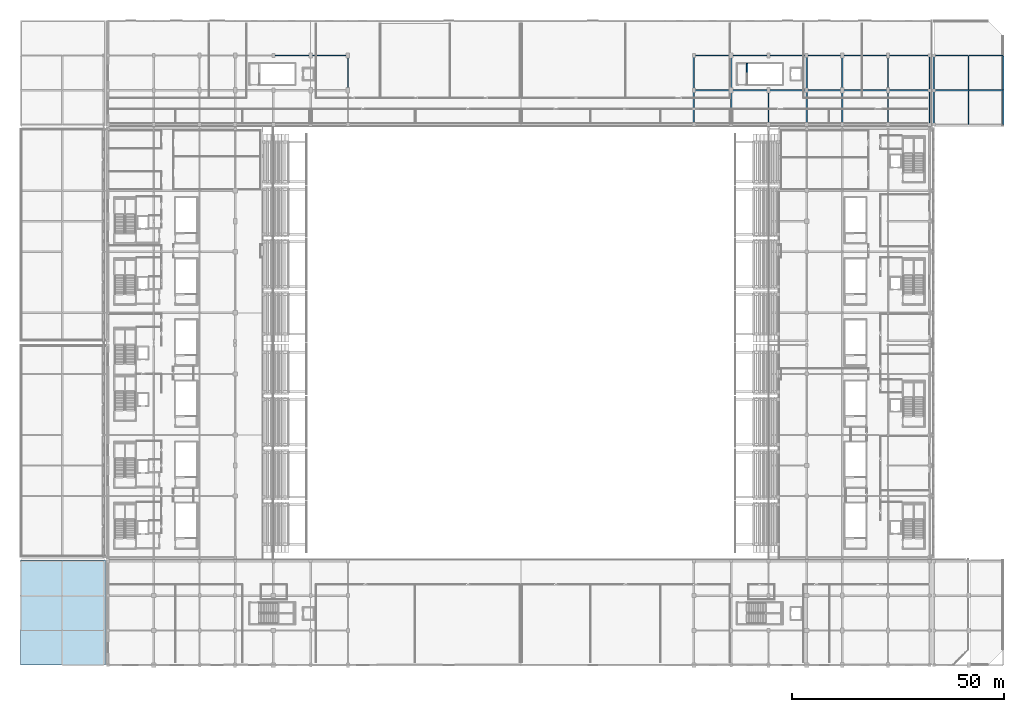
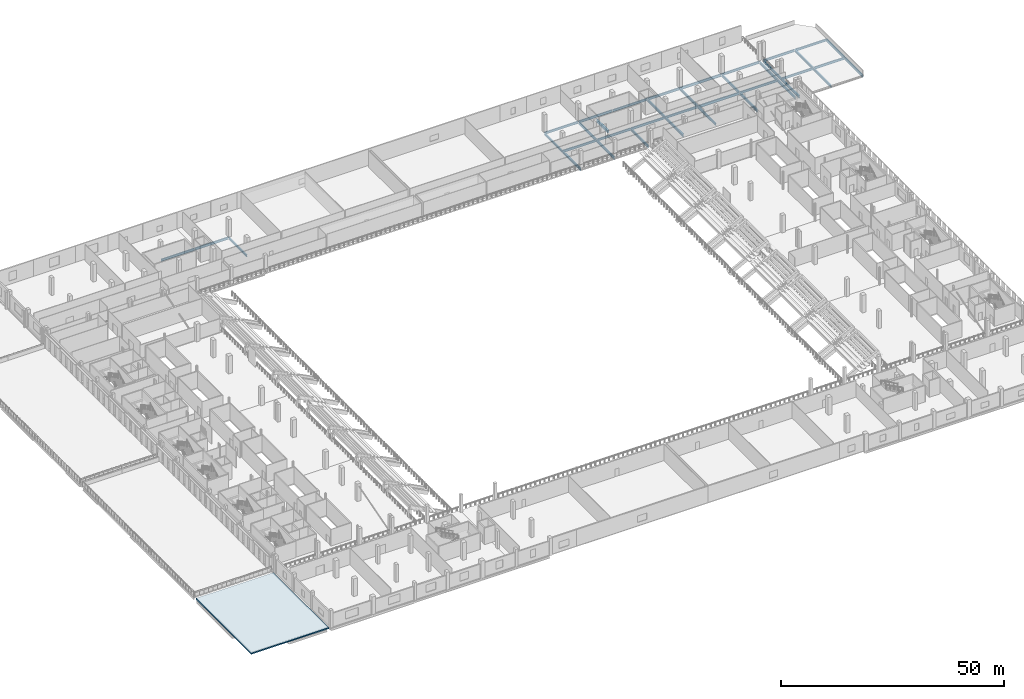
# One storey, part 21 of 74: 39 beams, 1 slab.
"""IFC4 building model written with IfcOpenShell, lengths in metres."""

from ifc_helpers import new_model, si_unit, direction, frame, origin, origin_2d, place, context, subcontext, project, spatial, polyline, rectangle, i_section, outline, extrude, material, layer, layer_set, material_profile, profile_set, type_object, element, save


model = new_model("IFC4")

# Units and contexts
model_context = context("Model", 3, precision=1e-05, world=origin(), true_north=direction((0.0, 1.0)))
body_context = subcontext(model_context, "Body", "Model", "MODEL_VIEW")
ifc_project = project(units=[si_unit("LENGTHUNIT", "METRE"), si_unit("AREAUNIT", "SQUARE_METRE"), si_unit("VOLUMEUNIT", "CUBIC_METRE"), si_unit("PLANEANGLEUNIT", "RADIAN"), si_unit("MASSUNIT", "GRAM", prefix="KILO")], contexts=[model_context])

# Site, building, storey
site_placement = place(None, origin())
site = spatial("IfcSite", under=ifc_project, at=site_placement, CompositionType="ELEMENT")
building_placement = place(site_placement, origin())
building = spatial("IfcBuilding", under=site, at=building_placement, Name="Koshinbarg Plaza Stadium", CompositionType="ELEMENT")
storey_placement = place(building_placement, frame((0.0, 0.0, 15.0)))
storey = spatial("IfcBuildingStorey", under=building, at=storey_placement, Name="L03", CompositionType="ELEMENT", Elevation=15.0)

# Beams
ifc_material_1 = material(Name="Concrete C40/50", Category="concrete")
ifc_material_profile_1 = material_profile(ifc_material_1, rectangle(XDim=0.39990234375, YDim=0.75, at=origin_2d()), Name="RC 400x750")
ifc_profile_set_1 = profile_set([ifc_material_profile_1], Name="Concrete C40/50")
beam_type_1 = type_object("IfcBeamType", Name="BM-RCG-03", PredefinedType="USERDEFINED", material=ifc_profile_set_1)
beam_1_placement = place(storey_placement, frame((175.360107421875, 136.949951171875, -0.375), z_axis=(0.0, 1.0, 0.0), x_axis=(-1.0, 0.0, 0.0)))
element("IfcBeam", 1, at=beam_1_placement, inside=storey, type_object=beam_type_1, Name="L03 stair landing header beam C12", ObjectType="GIRDER", PredefinedType="USERDEFINED", context=body_context, shape_type="SweptSolid", body=[
    extrude(rectangle(XDim=0.39990234375, YDim=0.75, at=origin_2d()), origin(), (0.0, 0.0, 1.0), 4.969970703125),
])
ifc_material_2 = material(Name="Steel S355", Category="steel")
ifc_material_profile_2 = material_profile(ifc_material_2, i_section(OverallWidth=0.300048828125, OverallDepth=0.60009765625, WebThickness=0.015380859375, FlangeThickness=0.030029296875, at=origin_2d()), Name="HEB 600")
ifc_profile_set_2 = profile_set([ifc_material_profile_2], Name="Steel S355")
beam_type_2 = type_object("IfcBeamType", Name="BM-SGIR-02", PredefinedType="USERDEFINED", material=ifc_profile_set_2)
beam_2_placement = place(storey_placement, frame((162.860107421875, 135.60009765625, -0.6201171875), z_axis=(1.0, 0.0, 0.0), x_axis=(0.0, 1.0, 0.0)))
element("IfcBeam", 2, at=beam_2_placement, inside=storey, type_object=beam_type_2, Name="L03 X girder T/15-16", ObjectType="GIRDER", PredefinedType="USERDEFINED", context=body_context, shape_type="SweptSolid", body=[
    extrude(i_section(OverallWidth=0.300048828125, OverallDepth=0.60009765625, WebThickness=0.015380859375, FlangeThickness=0.030029296875, at=origin_2d()), origin(), (0.0, 0.0, 1.0), 8.679931640625),
])
beam_3_placement = place(storey_placement, frame((171.659912109375, 135.60009765625, -0.6201171875), z_axis=(1.0, 0.0, 0.0), x_axis=(0.0, 1.0, 0.0)))
element("IfcBeam", 3, at=beam_3_placement, inside=storey, type_object=beam_type_2, Name="L03 X girder T/16-17", ObjectType="GIRDER", PredefinedType="USERDEFINED", context=body_context, shape_type="SweptSolid", body=[
    extrude(i_section(OverallWidth=0.300048828125, OverallDepth=0.60009765625, WebThickness=0.015380859375, FlangeThickness=0.030029296875, at=origin_2d()), origin(), (0.0, 0.0, 1.0), 8.68017578125),
])
beam_4_placement = place(storey_placement, frame((180.4599609375, 135.60009765625, -0.6201171875), z_axis=(1.0, 0.0, 0.0), x_axis=(0.0, 1.0, 0.0)))
element("IfcBeam", 4, at=beam_4_placement, inside=storey, type_object=beam_type_2, Name="L03 X girder T/17-18", ObjectType="GIRDER", PredefinedType="USERDEFINED", context=body_context, shape_type="SweptSolid", body=[
    extrude(i_section(OverallWidth=0.300048828125, OverallDepth=0.60009765625, WebThickness=0.015380859375, FlangeThickness=0.030029296875, at=origin_2d()), origin(), (0.0, 0.0, 1.0), 8.880126953125),
])
beam_5_placement = place(storey_placement, frame((189.4599609375, 135.60009765625, -0.6201171875), z_axis=(1.0, 0.0, 0.0), x_axis=(0.0, 1.0, 0.0)))
element("IfcBeam", 5, at=beam_5_placement, inside=storey, type_object=beam_type_2, Name="L03 X girder T/18-19", ObjectType="GIRDER", PredefinedType="USERDEFINED", context=body_context, shape_type="SweptSolid", body=[
    extrude(i_section(OverallWidth=0.300048828125, OverallDepth=0.60009765625, WebThickness=0.015380859375, FlangeThickness=0.030029296875, at=origin_2d()), origin(), (0.0, 0.0, 1.0), 8.280029296875),
])
beam_6_placement = place(storey_placement, frame((208.659912109375, 135.60009765625, -0.6201171875), z_axis=(1.0, 0.0, 0.0), x_axis=(0.0, 1.0, 0.0)))
element("IfcBeam", 6, at=beam_6_placement, inside=storey, type_object=beam_type_2, Name="L03 X girder T/20-21", ObjectType="GIRDER", PredefinedType="USERDEFINED", context=body_context, shape_type="SweptSolid", body=[
    extrude(i_section(OverallWidth=0.300048828125, OverallDepth=0.60009765625, WebThickness=0.015380859375, FlangeThickness=0.030029296875, at=origin_2d()), origin(), (0.0, 0.0, 1.0), 9.68017578125),
])
for number, where, z_axis, x_axis, name in (
    (7, (219.4599609375, 135.60009765625, -0.60009765625), (1.0, 0.0, 0.0), (0.0, 1.0, 0.0), "L03 X girder T/22-23"),
    (8, (227.659912109375, 135.60009765625, -0.60009765625), (1.0, 0.0, 0.0), (0.0, 1.0, 0.0), "L03 X girder T/23-24"),
):
    element("IfcBeam", number, at=place(storey_placement, frame(where, z_axis=z_axis, x_axis=x_axis)), inside=storey, type_object=beam_type_2, Name=name, ObjectType="GIRDER", PredefinedType="USERDEFINED", context=body_context, shape_type="SweptSolid", body=[
        extrude(i_section(OverallWidth=0.300048828125, OverallDepth=0.60009765625, WebThickness=0.015380859375, FlangeThickness=0.030029296875, at=origin_2d()), origin(), (0.0, 0.0, 1.0), 8.080078125),
    ])
beam_7_placement = place(storey_placement, frame((63.659912109375, 143.800048828125, -0.6201171875), z_axis=(1.0, 0.0, 0.0), x_axis=(0.0, 1.0, 0.0)))
element("IfcBeam", 9, at=beam_7_placement, inside=storey, type_object=beam_type_2, Name="L03 X girder U/9-10", ObjectType="GIRDER", PredefinedType="USERDEFINED", context=body_context, shape_type="SweptSolid", body=[
    extrude(i_section(OverallWidth=0.300048828125, OverallDepth=0.60009765625, WebThickness=0.015380859375, FlangeThickness=0.030029296875, at=origin_2d()), origin(), (0.0, 0.0, 1.0), 8.68017578125),
])
for number, where, z_axis, x_axis, name in (
    (10, (72.4599609375, 143.800048828125, -0.6201171875), (1.0, 0.0, 0.0), (0.0, 1.0, 0.0), "L03 X girder U/10-11"),
    (11, (162.860107421875, 143.800048828125, -0.6201171875), (1.0, 0.0, 0.0), (0.0, 1.0, 0.0), "L03 X girder U/15-16"),
):
    element("IfcBeam", number, at=place(storey_placement, frame(where, z_axis=z_axis, x_axis=x_axis)), inside=storey, type_object=beam_type_2, Name=name, ObjectType="GIRDER", PredefinedType="USERDEFINED", context=body_context, shape_type="SweptSolid", body=[
        extrude(i_section(OverallWidth=0.300048828125, OverallDepth=0.60009765625, WebThickness=0.015380859375, FlangeThickness=0.030029296875, at=origin_2d()), origin(), (0.0, 0.0, 1.0), 8.679931640625),
    ])
beam_8_placement = place(storey_placement, frame((171.659912109375, 143.800048828125, -0.6201171875), z_axis=(1.0, 0.0, 0.0), x_axis=(0.0, 1.0, 0.0)))
element("IfcBeam", 12, at=beam_8_placement, inside=storey, type_object=beam_type_2, Name="L03 X girder U/16-17", ObjectType="GIRDER", PredefinedType="USERDEFINED", context=body_context, shape_type="SweptSolid", body=[
    extrude(i_section(OverallWidth=0.300048828125, OverallDepth=0.60009765625, WebThickness=0.015380859375, FlangeThickness=0.030029296875, at=origin_2d()), origin(), (0.0, 0.0, 1.0), 8.68017578125),
])
beam_9_placement = place(storey_placement, frame((180.4599609375, 143.800048828125, -0.6201171875), z_axis=(1.0, 0.0, 0.0), x_axis=(0.0, 1.0, 0.0)))
element("IfcBeam", 13, at=beam_9_placement, inside=storey, type_object=beam_type_2, Name="L03 X girder U/17-18", ObjectType="GIRDER", PredefinedType="USERDEFINED", context=body_context, shape_type="SweptSolid", body=[
    extrude(i_section(OverallWidth=0.300048828125, OverallDepth=0.60009765625, WebThickness=0.015380859375, FlangeThickness=0.030029296875, at=origin_2d()), origin(), (0.0, 0.0, 1.0), 8.880126953125),
])
beam_10_placement = place(storey_placement, frame((189.4599609375, 143.800048828125, -0.6201171875), z_axis=(1.0, 0.0, 0.0), x_axis=(0.0, 1.0, 0.0)))
element("IfcBeam", 14, at=beam_10_placement, inside=storey, type_object=beam_type_2, Name="L03 X girder U/18-19", ObjectType="GIRDER", PredefinedType="USERDEFINED", context=body_context, shape_type="SweptSolid", body=[
    extrude(i_section(OverallWidth=0.300048828125, OverallDepth=0.60009765625, WebThickness=0.015380859375, FlangeThickness=0.030029296875, at=origin_2d()), origin(), (0.0, 0.0, 1.0), 8.280029296875),
])
beam_11_placement = place(storey_placement, frame((208.659912109375, 143.800048828125, -0.6201171875), z_axis=(1.0, 0.0, 0.0), x_axis=(0.0, 1.0, 0.0)))
element("IfcBeam", 15, at=beam_11_placement, inside=storey, type_object=beam_type_2, Name="L03 X girder U/20-21", ObjectType="GIRDER", PredefinedType="USERDEFINED", context=body_context, shape_type="SweptSolid", body=[
    extrude(i_section(OverallWidth=0.300048828125, OverallDepth=0.60009765625, WebThickness=0.015380859375, FlangeThickness=0.030029296875, at=origin_2d()), origin(), (0.0, 0.0, 1.0), 9.68017578125),
])
for number, where, z_axis, x_axis, name in (
    (16, (219.4599609375, 143.800048828125, -0.60009765625), (1.0, 0.0, 0.0), (0.0, 1.0, 0.0), "L03 X girder U/22-23"),
    (17, (227.659912109375, 143.800048828125, -0.60009765625), (1.0, 0.0, 0.0), (0.0, 1.0, 0.0), "L03 X girder U/23-24"),
    (18, (81.199951171875, 135.659912109375, -0.6201171875), (0.0, 1.0, 0.0), (-1.0, 0.0, 0.0), "L03 Y girder 11/T-U"),
):
    element("IfcBeam", number, at=place(storey_placement, frame(where, z_axis=z_axis, x_axis=x_axis)), inside=storey, type_object=beam_type_2, Name=name, ObjectType="GIRDER", PredefinedType="USERDEFINED", context=body_context, shape_type="SweptSolid", body=[
        extrude(i_section(OverallWidth=0.300048828125, OverallDepth=0.60009765625, WebThickness=0.015380859375, FlangeThickness=0.030029296875, at=origin_2d()), origin(), (0.0, 0.0, 1.0), 8.080078125),
    ])
beam_12_placement = place(storey_placement, frame((162.800048828125, 127.56005859375, -0.6201171875), z_axis=(0.0, 1.0, 0.0), x_axis=(-1.0, 0.0, 0.0)))
element("IfcBeam", 19, at=beam_12_placement, inside=storey, type_object=beam_type_2, Name="L03 Y girder 15/S-T", ObjectType="GIRDER", PredefinedType="USERDEFINED", context=body_context, shape_type="SweptSolid", body=[
    extrude(i_section(OverallWidth=0.300048828125, OverallDepth=0.60009765625, WebThickness=0.015380859375, FlangeThickness=0.030029296875, at=origin_2d()), origin(), (0.0, 0.0, 1.0), 7.97998046875),
])
beam_13_placement = place(storey_placement, frame((162.800048828125, 135.659912109375, -0.6201171875), z_axis=(0.0, 1.0, 0.0), x_axis=(-1.0, 0.0, 0.0)))
element("IfcBeam", 20, at=beam_13_placement, inside=storey, type_object=beam_type_2, Name="L03 Y girder 15/T-U", ObjectType="GIRDER", PredefinedType="USERDEFINED", context=body_context, shape_type="SweptSolid", body=[
    extrude(i_section(OverallWidth=0.300048828125, OverallDepth=0.60009765625, WebThickness=0.015380859375, FlangeThickness=0.030029296875, at=origin_2d()), origin(), (0.0, 0.0, 1.0), 8.080078125),
])
for number, where, z_axis, x_axis, name in (
    (21, (180.39990234375, 127.56005859375, -0.6201171875), (0.0, 1.0, 0.0), (-1.0, 0.0, 0.0), "L03 Y girder 17/S-T"),
    (22, (197.800048828125, 127.56005859375, -0.6201171875), (0.0, 1.0, 0.0), (-1.0, 0.0, 0.0), "L03 Y girder 19/S-T"),
):
    element("IfcBeam", number, at=place(storey_placement, frame(where, z_axis=z_axis, x_axis=x_axis)), inside=storey, type_object=beam_type_2, Name=name, ObjectType="GIRDER", PredefinedType="USERDEFINED", context=body_context, shape_type="SweptSolid", body=[
        extrude(i_section(OverallWidth=0.300048828125, OverallDepth=0.60009765625, WebThickness=0.015380859375, FlangeThickness=0.030029296875, at=origin_2d()), origin(), (0.0, 0.0, 1.0), 7.97998046875),
    ])
beam_14_placement = place(storey_placement, frame((197.800048828125, 135.659912109375, -0.6201171875), z_axis=(0.0, 1.0, 0.0), x_axis=(-1.0, 0.0, 0.0)))
element("IfcBeam", 23, at=beam_14_placement, inside=storey, type_object=beam_type_2, Name="L03 Y girder 19/T-U", ObjectType="GIRDER", PredefinedType="USERDEFINED", context=body_context, shape_type="SweptSolid", body=[
    extrude(i_section(OverallWidth=0.300048828125, OverallDepth=0.60009765625, WebThickness=0.015380859375, FlangeThickness=0.030029296875, at=origin_2d()), origin(), (0.0, 0.0, 1.0), 8.080078125),
])
beam_15_placement = place(storey_placement, frame((218.39990234375, 127.56005859375, -0.6201171875), z_axis=(0.0, 1.0, 0.0), x_axis=(-1.0, 0.0, 0.0)))
element("IfcBeam", 24, at=beam_15_placement, inside=storey, type_object=beam_type_2, Name="L03 Y girder 21/S-T", ObjectType="GIRDER", PredefinedType="USERDEFINED", context=body_context, shape_type="SweptSolid", body=[
    extrude(i_section(OverallWidth=0.300048828125, OverallDepth=0.60009765625, WebThickness=0.015380859375, FlangeThickness=0.030029296875, at=origin_2d()), origin(), (0.0, 0.0, 1.0), 7.97998046875),
])
beam_16_placement = place(storey_placement, frame((218.39990234375, 135.659912109375, -0.6201171875), z_axis=(0.0, 1.0, 0.0), x_axis=(-1.0, 0.0, 0.0)))
element("IfcBeam", 25, at=beam_16_placement, inside=storey, type_object=beam_type_2, Name="L03 Y girder 21/T-U", ObjectType="GIRDER", PredefinedType="USERDEFINED", context=body_context, shape_type="SweptSolid", body=[
    extrude(i_section(OverallWidth=0.300048828125, OverallDepth=0.60009765625, WebThickness=0.015380859375, FlangeThickness=0.030029296875, at=origin_2d()), origin(), (0.0, 0.0, 1.0), 8.080078125),
])
beam_17_placement = place(storey_placement, frame((227.60009765625, 127.56005859375, -0.60009765625), z_axis=(0.0, 1.0, 0.0), x_axis=(-1.0, 0.0, 0.0)))
element("IfcBeam", 26, at=beam_17_placement, inside=storey, type_object=beam_type_2, Name="L03 Y girder 23/S-T", ObjectType="GIRDER", PredefinedType="USERDEFINED", context=body_context, shape_type="SweptSolid", body=[
    extrude(i_section(OverallWidth=0.300048828125, OverallDepth=0.60009765625, WebThickness=0.015380859375, FlangeThickness=0.030029296875, at=origin_2d()), origin(), (0.0, 0.0, 1.0), 7.97998046875),
])
beam_18_placement = place(storey_placement, frame((227.60009765625, 135.659912109375, -0.60009765625), z_axis=(0.0, 1.0, 0.0), x_axis=(-1.0, 0.0, 0.0)))
element("IfcBeam", 27, at=beam_18_placement, inside=storey, type_object=beam_type_2, Name="L03 Y girder 23/T-U", ObjectType="GIRDER", PredefinedType="USERDEFINED", context=body_context, shape_type="SweptSolid", body=[
    extrude(i_section(OverallWidth=0.300048828125, OverallDepth=0.60009765625, WebThickness=0.015380859375, FlangeThickness=0.030029296875, at=origin_2d()), origin(), (0.0, 0.0, 1.0), 8.080078125),
])
ifc_material_profile_3 = material_profile(ifc_material_2, i_section(OverallWidth=0.300048828125, OverallDepth=0.699951171875, WebThickness=0.01708984375, FlangeThickness=0.031982421875, at=origin_2d()), Name="HEB 700")
ifc_profile_set_3 = profile_set([ifc_material_profile_3], Name="Steel S355")
beam_type_3 = type_object("IfcBeamType", Name="BM-SGIR-03", PredefinedType="USERDEFINED", material=ifc_profile_set_3)
for number, where, z_axis, x_axis, name in (
    (28, (197.860107421875, 135.60009765625, -0.669921875), (1.0, 0.0, 0.0), (0.0, 1.0, 0.0), "L03 X girder T/19-20"),
    (29, (197.860107421875, 143.800048828125, -0.669921875), (1.0, 0.0, 0.0), (0.0, 1.0, 0.0), "L03 X girder U/19-20"),
):
    element("IfcBeam", number, at=place(storey_placement, frame(where, z_axis=z_axis, x_axis=x_axis)), inside=storey, type_object=beam_type_3, Name=name, ObjectType="GIRDER", PredefinedType="USERDEFINED", context=body_context, shape_type="SweptSolid", body=[
        extrude(i_section(OverallWidth=0.300048828125, OverallDepth=0.699951171875, WebThickness=0.01708984375, FlangeThickness=0.031982421875, at=origin_2d()), origin(), (0.0, 0.0, 1.0), 10.679931640625),
    ])
beam_19_placement = place(storey_placement, frame((171.60009765625, 127.56005859375, -0.669921875), z_axis=(0.0, 1.0, 0.0), x_axis=(-1.0, 0.0, 0.0)))
element("IfcBeam", 30, at=beam_19_placement, inside=storey, type_object=beam_type_3, Name="L03 Y girder 16/S-T", ObjectType="GIRDER", PredefinedType="USERDEFINED", context=body_context, shape_type="SweptSolid", body=[
    extrude(i_section(OverallWidth=0.300048828125, OverallDepth=0.699951171875, WebThickness=0.01708984375, FlangeThickness=0.031982421875, at=origin_2d()), origin(), (0.0, 0.0, 1.0), 7.97998046875),
])
beam_20_placement = place(storey_placement, frame((171.60009765625, 135.659912109375, -0.669921875), z_axis=(0.0, 1.0, 0.0), x_axis=(-1.0, 0.0, 0.0)))
element("IfcBeam", 31, at=beam_20_placement, inside=storey, type_object=beam_type_3, Name="L03 Y girder 16/T-U", ObjectType="GIRDER", PredefinedType="USERDEFINED", context=body_context, shape_type="SweptSolid", body=[
    extrude(i_section(OverallWidth=0.300048828125, OverallDepth=0.699951171875, WebThickness=0.01708984375, FlangeThickness=0.031982421875, at=origin_2d()), origin(), (0.0, 0.0, 1.0), 8.080078125),
])
beam_21_placement = place(storey_placement, frame((189.39990234375, 127.56005859375, -0.669921875), z_axis=(0.0, 1.0, 0.0), x_axis=(-1.0, 0.0, 0.0)))
element("IfcBeam", 32, at=beam_21_placement, inside=storey, type_object=beam_type_3, Name="L03 Y girder 18/S-T", ObjectType="GIRDER", PredefinedType="USERDEFINED", context=body_context, shape_type="SweptSolid", body=[
    extrude(i_section(OverallWidth=0.300048828125, OverallDepth=0.699951171875, WebThickness=0.01708984375, FlangeThickness=0.031982421875, at=origin_2d()), origin(), (0.0, 0.0, 1.0), 7.97998046875),
])
beam_22_placement = place(storey_placement, frame((189.39990234375, 135.659912109375, -0.669921875), z_axis=(0.0, 1.0, 0.0), x_axis=(-1.0, 0.0, 0.0)))
element("IfcBeam", 33, at=beam_22_placement, inside=storey, type_object=beam_type_3, Name="L03 Y girder 18/T-U", ObjectType="GIRDER", PredefinedType="USERDEFINED", context=body_context, shape_type="SweptSolid", body=[
    extrude(i_section(OverallWidth=0.300048828125, OverallDepth=0.699951171875, WebThickness=0.01708984375, FlangeThickness=0.031982421875, at=origin_2d()), origin(), (0.0, 0.0, 1.0), 8.080078125),
])
beam_23_placement = place(storey_placement, frame((208.60009765625, 127.56005859375, -0.669921875), z_axis=(0.0, 1.0, 0.0), x_axis=(-1.0, 0.0, 0.0)))
element("IfcBeam", 34, at=beam_23_placement, inside=storey, type_object=beam_type_3, Name="L03 Y girder 20/S-T", ObjectType="GIRDER", PredefinedType="USERDEFINED", context=body_context, shape_type="SweptSolid", body=[
    extrude(i_section(OverallWidth=0.300048828125, OverallDepth=0.699951171875, WebThickness=0.01708984375, FlangeThickness=0.031982421875, at=origin_2d()), origin(), (0.0, 0.0, 1.0), 7.97998046875),
])
beam_24_placement = place(storey_placement, frame((208.60009765625, 135.659912109375, -0.669921875), z_axis=(0.0, 1.0, 0.0), x_axis=(-1.0, 0.0, 0.0)))
element("IfcBeam", 35, at=beam_24_placement, inside=storey, type_object=beam_type_3, Name="L03 Y girder 20/T-U", ObjectType="GIRDER", PredefinedType="USERDEFINED", context=body_context, shape_type="SweptSolid", body=[
    extrude(i_section(OverallWidth=0.300048828125, OverallDepth=0.699951171875, WebThickness=0.01708984375, FlangeThickness=0.031982421875, at=origin_2d()), origin(), (0.0, 0.0, 1.0), 8.080078125),
])
beam_25_placement = place(storey_placement, frame((219.39990234375, 127.56005859375, -0.64990234375), z_axis=(0.0, 1.0, 0.0), x_axis=(-1.0, 0.0, 0.0)))
element("IfcBeam", 36, at=beam_25_placement, inside=storey, type_object=beam_type_3, Name="L03 Y girder 22/S-T", ObjectType="GIRDER", PredefinedType="USERDEFINED", context=body_context, shape_type="SweptSolid", body=[
    extrude(i_section(OverallWidth=0.300048828125, OverallDepth=0.699951171875, WebThickness=0.01708984375, FlangeThickness=0.031982421875, at=origin_2d()), origin(), (0.0, 0.0, 1.0), 7.97998046875),
])
beam_26_placement = place(storey_placement, frame((219.39990234375, 135.659912109375, -0.64990234375), z_axis=(0.0, 1.0, 0.0), x_axis=(-1.0, 0.0, 0.0)))
element("IfcBeam", 37, at=beam_26_placement, inside=storey, type_object=beam_type_3, Name="L03 Y girder 22/T-U", ObjectType="GIRDER", PredefinedType="USERDEFINED", context=body_context, shape_type="SweptSolid", body=[
    extrude(i_section(OverallWidth=0.300048828125, OverallDepth=0.699951171875, WebThickness=0.01708984375, FlangeThickness=0.031982421875, at=origin_2d()), origin(), (0.0, 0.0, 1.0), 8.080078125),
])
beam_27_placement = place(storey_placement, frame((235.800048828125, 127.56005859375, -0.64990234375), z_axis=(0.0, 1.0, 0.0), x_axis=(-1.0, 0.0, 0.0)))
element("IfcBeam", 38, at=beam_27_placement, inside=storey, type_object=beam_type_3, Name="L03 Y girder 24/S-T", ObjectType="GIRDER", PredefinedType="USERDEFINED", context=body_context, shape_type="SweptSolid", body=[
    extrude(i_section(OverallWidth=0.300048828125, OverallDepth=0.699951171875, WebThickness=0.01708984375, FlangeThickness=0.031982421875, at=origin_2d()), origin(), (0.0, 0.0, 1.0), 7.97998046875),
])
beam_28_placement = place(storey_placement, frame((235.800048828125, 135.659912109375, -0.64990234375), z_axis=(0.0, 1.0, 0.0), x_axis=(-1.0, 0.0, 0.0)))
element("IfcBeam", 39, at=beam_28_placement, inside=storey, type_object=beam_type_3, Name="L03 Y girder 24/T-U", ObjectType="GIRDER", PredefinedType="USERDEFINED", context=body_context, shape_type="SweptSolid", body=[
    extrude(i_section(OverallWidth=0.300048828125, OverallDepth=0.699951171875, WebThickness=0.01708984375, FlangeThickness=0.031982421875, at=origin_2d()), origin(), (0.0, 0.0, 1.0), 8.080078125),
])

# Slab
ifc_material_3 = material(Name="Concrete C35/45", Category="concrete")
ifc_layer = layer(ifc_material_3, 0.300048828125)
ifc_layer_set = layer_set([ifc_layer], Name="Concrete C35/45")
slab_type = type_object("IfcSlabType", Name="SL-FLATROOF-260", PredefinedType="ROOF", material=ifc_layer_set)
slab_placement = place(storey_placement, frame((0.0, 0.0, -0.300048828125)))
element("IfcSlab", 40, at=slab_placement, inside=storey, type_object=slab_type, Name="L03 pavilion flat roof slab RF-V6-S", PredefinedType="ROOF", context=body_context, shape_type="SweptSolid", body=[
    extrude(outline(polyline([(4.0, 0.0), (24.054931640625, 0.0), (24.054931640625, 24.800048828125), (4.0, 24.800048828125), (4.0, 0.0)])), origin(), (0.0, 0.0, 1.0), 0.300048828125),
])

save(model, "model.ifc")
